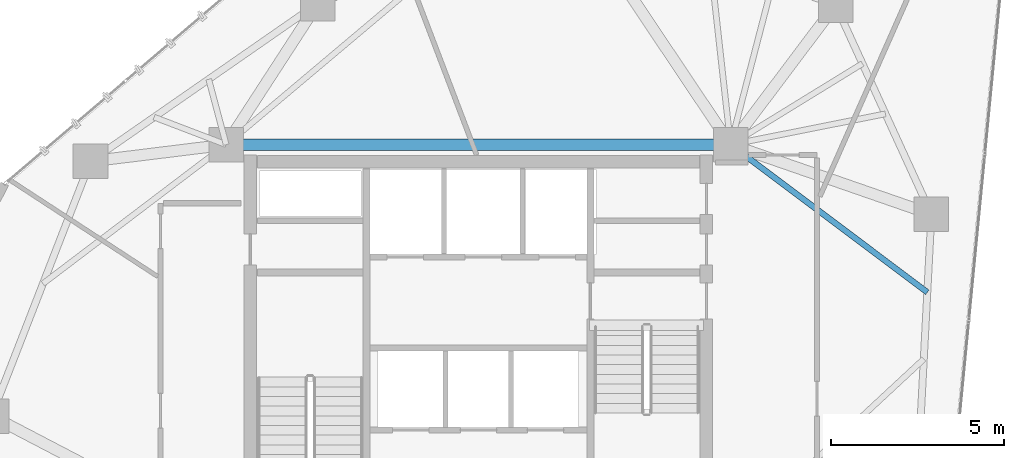
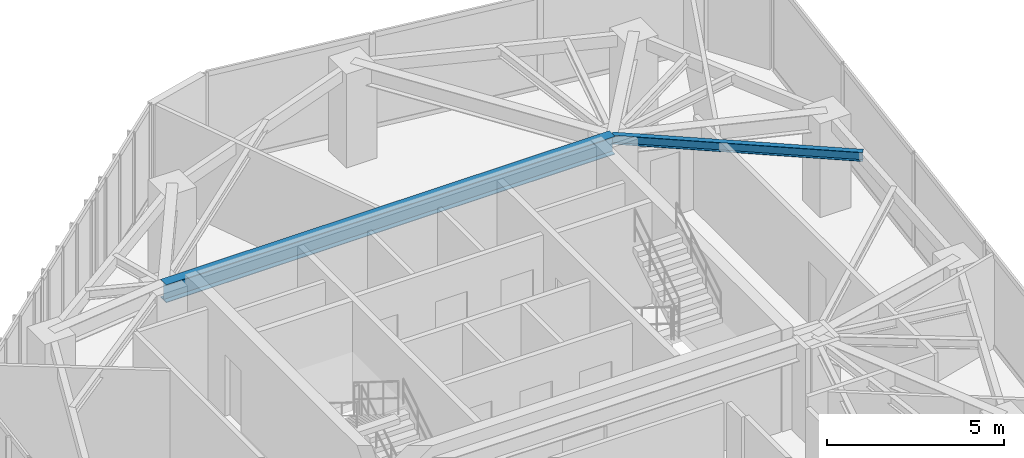
# One storey, part 11 of 21: 2 beams.
"""IFC4 building model written with IfcOpenShell, lengths in metres."""

from ifc_helpers import new_model, si_unit, direction, frame, origin, origin_2d, place, context, subcontext, project, spatial, i_section, extrude, material, material_profile, profile_set, type_object, element, save


model = new_model("IFC4")

# Units and contexts
model_context = context("Model", 3, precision=1e-05, world=origin(), true_north=direction((0.0, 1.0)))
body_context = subcontext(model_context, "Body", "Model", "MODEL_VIEW")
ifc_project = project(units=[si_unit("LENGTHUNIT", "METRE"), si_unit("AREAUNIT", "SQUARE_METRE"), si_unit("VOLUMEUNIT", "CUBIC_METRE"), si_unit("PLANEANGLEUNIT", "RADIAN"), si_unit("MASSUNIT", "GRAM", prefix="KILO")], contexts=[model_context])

# Site, building, storey
site_placement = place(None, origin())
site = spatial("IfcSite", under=ifc_project, at=site_placement, CompositionType="ELEMENT")
building_placement = place(site_placement, origin())
building = spatial("IfcBuilding", under=site, at=building_placement, Name="Talar Marvaseh", CompositionType="ELEMENT")
storey_placement = place(building_placement, frame((0.0, 0.0, 225.699951171875)))
storey = spatial("IfcBuildingStorey", under=building, at=storey_placement, Name="L59", CompositionType="ELEMENT", Elevation=225.699951171875)

# Beams
ifc_material = material(Name="Steel S355", Category="steel")
ifc_material_profile_1 = material_profile(ifc_material, i_section(OverallWidth=0.324951171875, OverallDepth=0.615966796875, WebThickness=0.013916015625, FlangeThickness=0.021484375, at=origin_2d()), Name="W610x174")
ifc_profile_set_1 = profile_set([ifc_material_profile_1], Name="Steel S355")
beam_type_1 = type_object("IfcBeamType", Name="Zone 3 Radial Floor Girder W610x174", PredefinedType="BEAM", material=ifc_profile_set_1)
beam_1_placement = place(storey_placement, frame((18.699951171875, 36.89990234375, 2.922119140625), z_axis=(1.0, 0.0, 0.0), x_axis=(0.0, 1.0, 0.0)))
element("IfcBeam", 1, at=beam_1_placement, inside=storey, type_object=beam_type_1, Name="L59 Zone 3 Radial Floor Girder W610x174", PredefinedType="BEAM", context=body_context, shape_type="SweptSolid", body=[
    extrude(i_section(OverallWidth=0.324951171875, OverallDepth=0.615966796875, WebThickness=0.013916015625, FlangeThickness=0.021484375, at=origin_2d()), origin(), (0.0, 0.0, 1.0), 14.60009765625),
])
ifc_material_profile_2 = material_profile(ifc_material, i_section(OverallWidth=0.166015625, OverallDepth=0.31298828125, WebThickness=0.006591796875, FlangeThickness=0.01123046875, at=origin_2d()), Name="W310x45")
ifc_profile_set_2 = profile_set([ifc_material_profile_2], Name="Steel S355")
beam_type_2 = type_object("IfcBeamType", Name="Zone 3 Secondary Floor Joist W310x45", PredefinedType="JOIST", material=ifc_profile_set_2)
beam_2_placement = place(storey_placement, frame((38.994384765625, 32.627197265625, 3.073486328125), z_axis=(-0.799868292589, 0.600175569739, 0.0), x_axis=(-0.600175569739, -0.799868292589, 0.0)))
element("IfcBeam", 2, at=beam_2_placement, inside=storey, type_object=beam_type_2, Name="L59 Zone 3 Secondary Floor Joist W310x45", PredefinedType="JOIST", context=body_context, shape_type="SweptSolid", body=[
    extrude(i_section(OverallWidth=0.166015625, OverallDepth=0.31298828125, WebThickness=0.006591796875, FlangeThickness=0.01123046875, at=origin_2d()), origin(), (0.0, 0.0, 1.0), 7.119140625),
])

save(model, "model.ifc")
